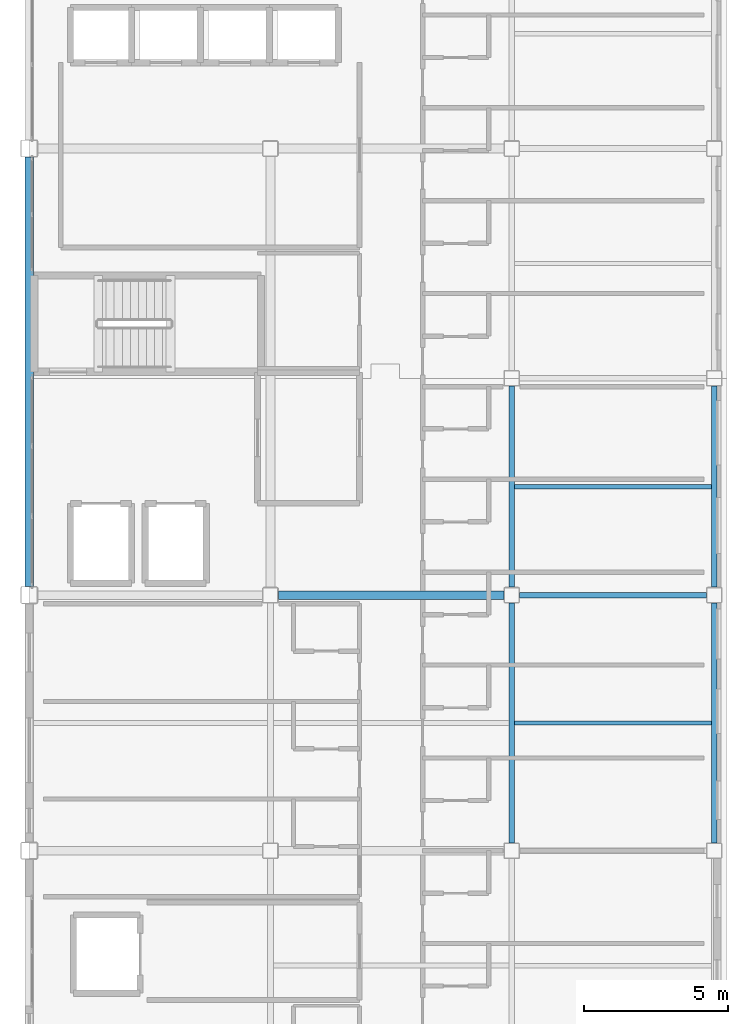
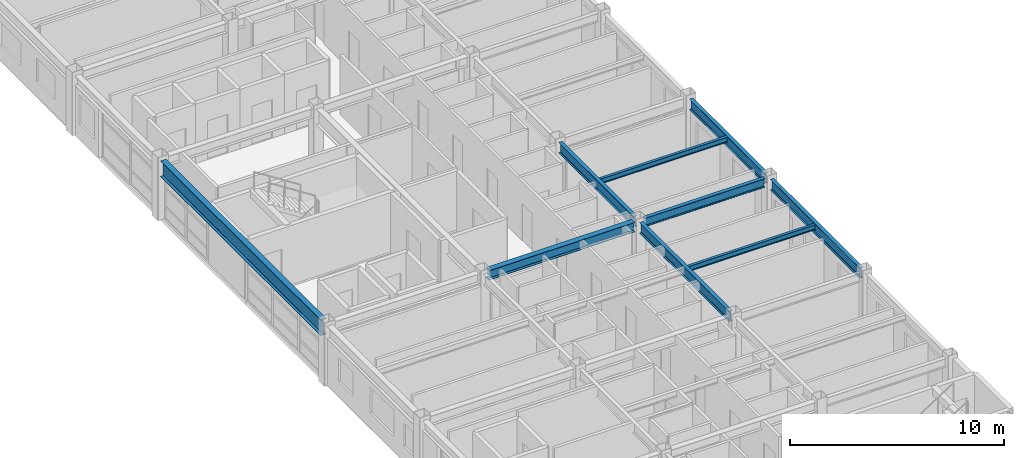
# One storey, part 14 of 36: 9 beams.
"""IFC4 building model written with IfcOpenShell, lengths in metres."""

from ifc_helpers import new_model, si_unit, direction, frame, origin, origin_2d, place, context, subcontext, project, spatial, i_section, extrude, material, material_profile, profile_set, type_object, element, save


model = new_model("IFC4")

# Units and contexts
model_context = context("Model", 3, precision=1e-05, world=origin(), true_north=direction((0.0, 1.0)))
body_context = subcontext(model_context, "Body", "Model", "MODEL_VIEW")
ifc_project = project(units=[si_unit("LENGTHUNIT", "METRE"), si_unit("AREAUNIT", "SQUARE_METRE"), si_unit("VOLUMEUNIT", "CUBIC_METRE"), si_unit("PLANEANGLEUNIT", "RADIAN"), si_unit("MASSUNIT", "GRAM", prefix="KILO")], contexts=[model_context])

# Site, building, storey
site_placement = place(None, origin())
site = spatial("IfcSite", under=ifc_project, at=site_placement, CompositionType="ELEMENT")
building_placement = place(site_placement, origin())
building = spatial("IfcBuilding", under=site, at=building_placement, Name="Kazehara Bluff Congress Hotel", CompositionType="ELEMENT")
storey_placement = place(building_placement, frame((0.0, 0.0, 28.199951171875)))
storey = spatial("IfcBuildingStorey", under=building, at=storey_placement, Name="L06", CompositionType="ELEMENT", Elevation=28.199951171875)

# Beams
ifc_material_1 = material(Name="Steel SN490B", Category="steel")
ifc_material_profile_1 = material_profile(ifc_material_1, i_section(OverallWidth=0.199951171875, OverallDepth=0.5, WebThickness=0.010009765625, FlangeThickness=0.01611328125, FilletRadius=0.012939453125, at=origin_2d()))
ifc_profile_set_1 = profile_set([ifc_material_profile_1], Name="Steel SN490B")
beam_type_1 = type_object("IfcBeamType", Name="TP-G-01", PredefinedType="BEAM", material=ifc_profile_set_1)
beam_1_placement = place(storey_placement, frame((160.77490234375, 40.89990234375, 3.130126953125), z_axis=(1.0, 0.0, 0.0), x_axis=(0.0, 1.0, 0.0)))
element("IfcBeam", 1, at=beam_1_placement, inside=storey, type_object=beam_type_1, Name="L06 girder G-01 61", PredefinedType="BEAM", context=body_context, shape_type="SweptSolid", body=[
    extrude(i_section(OverallWidth=0.199951171875, OverallDepth=0.5, WebThickness=0.010009765625, FlangeThickness=0.01611328125, FilletRadius=0.012939453125, at=origin_2d()), origin(), (0.0, 0.0, 1.0), 6.5),
])
ifc_material_2 = material(Name="Steel SN490B", Category="steel")
ifc_material_profile_2 = material_profile(ifc_material_2, i_section(OverallWidth=0.199951171875, OverallDepth=0.60009765625, WebThickness=0.010986328125, FlangeThickness=0.01708984375, FilletRadius=0.012939453125, at=origin_2d()))
ifc_profile_set_2 = profile_set([ifc_material_profile_2], Name="Steel SN490B")
beam_type_2 = type_object("IfcBeamType", Name="TP-G-02", PredefinedType="BEAM", material=ifc_profile_set_2)
beam_2_placement = place(storey_placement, frame((160.5, 32.27490234375, 3.080078125), z_axis=(0.0, 1.0, 0.0), x_axis=(-1.0, 0.0, 0.0)))
element("IfcBeam", 2, at=beam_2_placement, inside=storey, type_object=beam_type_2, Name="L06 girder G-02 27", PredefinedType="BEAM", context=body_context, shape_type="SweptSolid", body=[
    extrude(i_section(OverallWidth=0.199951171875, OverallDepth=0.60009765625, WebThickness=0.010986328125, FlangeThickness=0.01708984375, FilletRadius=0.012939453125, at=origin_2d()), origin(), (0.0, 0.0, 1.0), 8.35009765625),
])
beam_3_placement = place(storey_placement, frame((160.5, 41.175048828125, 3.080078125), z_axis=(0.0, 1.0, 0.0), x_axis=(-1.0, 0.0, 0.0)))
element("IfcBeam", 3, at=beam_3_placement, inside=storey, type_object=beam_type_2, Name="L06 girder G-02 28", PredefinedType="BEAM", context=body_context, shape_type="SweptSolid", body=[
    extrude(i_section(OverallWidth=0.199951171875, OverallDepth=0.60009765625, WebThickness=0.010986328125, FlangeThickness=0.01708984375, FilletRadius=0.012939453125, at=origin_2d()), origin(), (0.0, 0.0, 1.0), 7.0),
])
beam_4_placement = place(storey_placement, frame((167.550048828125, 32.27490234375, 3.080078125), z_axis=(0.0, 1.0, 0.0), x_axis=(-1.0, 0.0, 0.0)))
element("IfcBeam", 4, at=beam_4_placement, inside=storey, type_object=beam_type_2, Name="L06 girder G-02 37", PredefinedType="BEAM", context=body_context, shape_type="SweptSolid", body=[
    extrude(i_section(OverallWidth=0.199951171875, OverallDepth=0.60009765625, WebThickness=0.010986328125, FlangeThickness=0.01708984375, FilletRadius=0.012939453125, at=origin_2d()), origin(), (0.0, 0.0, 1.0), 8.35009765625),
])
beam_5_placement = place(storey_placement, frame((167.550048828125, 41.175048828125, 3.080078125), z_axis=(0.0, 1.0, 0.0), x_axis=(-1.0, 0.0, 0.0)))
element("IfcBeam", 5, at=beam_5_placement, inside=storey, type_object=beam_type_2, Name="L06 girder G-02 38", PredefinedType="BEAM", context=body_context, shape_type="SweptSolid", body=[
    extrude(i_section(OverallWidth=0.199951171875, OverallDepth=0.60009765625, WebThickness=0.010986328125, FlangeThickness=0.01708984375, FilletRadius=0.012939453125, at=origin_2d()), origin(), (0.0, 0.0, 1.0), 7.0),
])
ifc_material_3 = material(Name="Steel SN490B", Category="steel")
ifc_material_profile_3 = material_profile(ifc_material_3, i_section(OverallWidth=0.300048828125, OverallDepth=0.89990234375, WebThickness=0.01611328125, FlangeThickness=0.028076171875, FilletRadius=0.01806640625, at=origin_2d()))
ifc_profile_set_3 = profile_set([ifc_material_profile_3], Name="Steel SN490B")
beam_type_3 = type_object("IfcBeamType", Name="TP-G-08", PredefinedType="BEAM", material=ifc_profile_set_3)
beam_6_placement = place(storey_placement, frame((143.699951171875, 41.199951171875, 2.929931640625), z_axis=(0.0, 1.0, 0.0), x_axis=(-1.0, 0.0, 0.0)))
element("IfcBeam", 6, at=beam_6_placement, inside=storey, type_object=beam_type_3, Name="L06 girder G-08 6", PredefinedType="BEAM", context=body_context, shape_type="SweptSolid", body=[
    extrude(i_section(OverallWidth=0.300048828125, OverallDepth=0.89990234375, WebThickness=0.01611328125, FlangeThickness=0.028076171875, FilletRadius=0.01806640625, at=origin_2d()), origin(), (0.0, 0.0, 1.0), 14.949951171875),
])
ifc_material_4 = material(Name="Steel SN490B", Category="steel")
ifc_material_profile_4 = material_profile(ifc_material_4, i_section(OverallWidth=0.300048828125, OverallDepth=0.550048828125, WebThickness=0.010986328125, FlangeThickness=0.01806640625, FilletRadius=0.012939453125, at=origin_2d()))
ifc_profile_set_4 = profile_set([ifc_material_profile_4], Name="Steel SN490B")
beam_type_4 = type_object("IfcBeamType", Name="TP-G-12", PredefinedType="BEAM", material=ifc_profile_set_4)
beam_7_placement = place(storey_placement, frame((152.375, 40.89990234375, 3.10498046875), z_axis=(1.0, 0.0, 0.0), x_axis=(0.0, 1.0, 0.0)))
element("IfcBeam", 7, at=beam_7_placement, inside=storey, type_object=beam_type_4, Name="L06 girder G-12 60", PredefinedType="BEAM", context=body_context, shape_type="SweptSolid", body=[
    extrude(i_section(OverallWidth=0.300048828125, OverallDepth=0.550048828125, WebThickness=0.010986328125, FlangeThickness=0.01806640625, FilletRadius=0.012939453125, at=origin_2d()), origin(), (0.0, 0.0, 1.0), 7.85009765625),
])
ifc_material_5 = material(Name="Steel SN400B", Category="steel")
ifc_material_profile_5 = material_profile(ifc_material_5, i_section(OverallWidth=0.14990234375, OverallDepth=0.300048828125, WebThickness=0.006591796875, FlangeThickness=0.009033203125, FilletRadius=0.012939453125, at=origin_2d()))
ifc_profile_set_5 = profile_set([ifc_material_profile_5], Name="Steel SN400B")
beam_type_5 = type_object("IfcBeamType", Name="TP-J-01", PredefinedType="JOIST", material=ifc_profile_set_5)
for number, where, z_axis, x_axis, name in (
    (8, (160.60009765625, 36.449951171875, 3.22998046875), (1.0, 0.0, 0.0), (0.0, 1.0, 0.0), "L06 secondary joist J-01 20"),
    (9, (160.60009765625, 44.675048828125, 3.22998046875), (1.0, 0.0, 0.0), (0.0, 1.0, 0.0), "L06 secondary joist J-01 21"),
):
    element("IfcBeam", number, at=place(storey_placement, frame(where, z_axis=z_axis, x_axis=x_axis)), inside=storey, type_object=beam_type_5, Name=name, PredefinedType="JOIST", context=body_context, shape_type="SweptSolid", body=[
        extrude(i_section(OverallWidth=0.14990234375, OverallDepth=0.300048828125, WebThickness=0.006591796875, FlangeThickness=0.009033203125, FilletRadius=0.012939453125, at=origin_2d()), origin(), (0.0, 0.0, 1.0), 6.849853515625),
    ])

save(model, "model.ifc")
